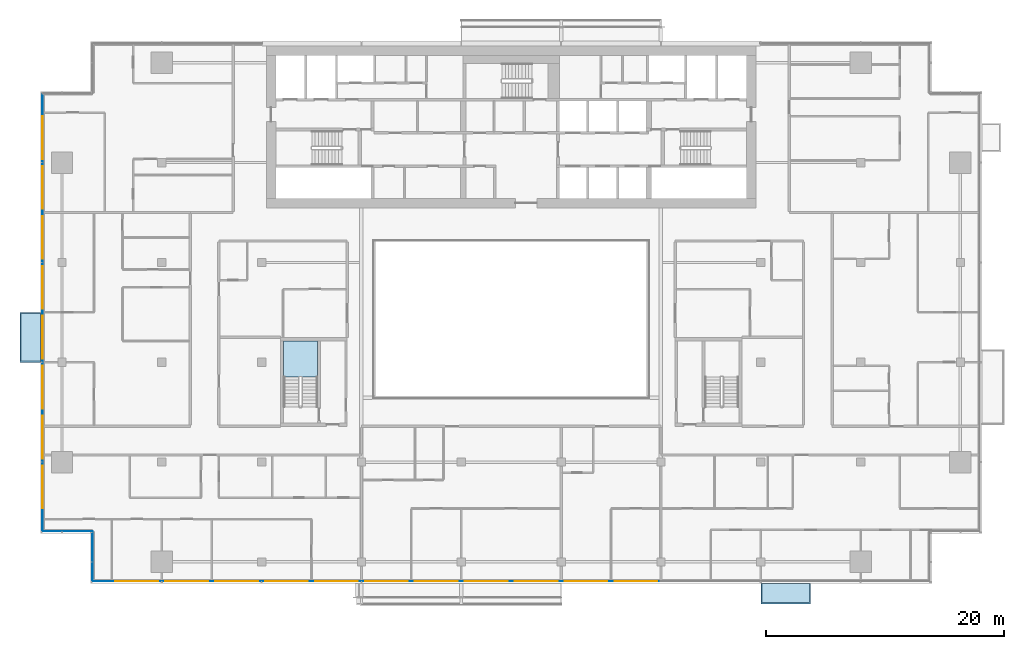
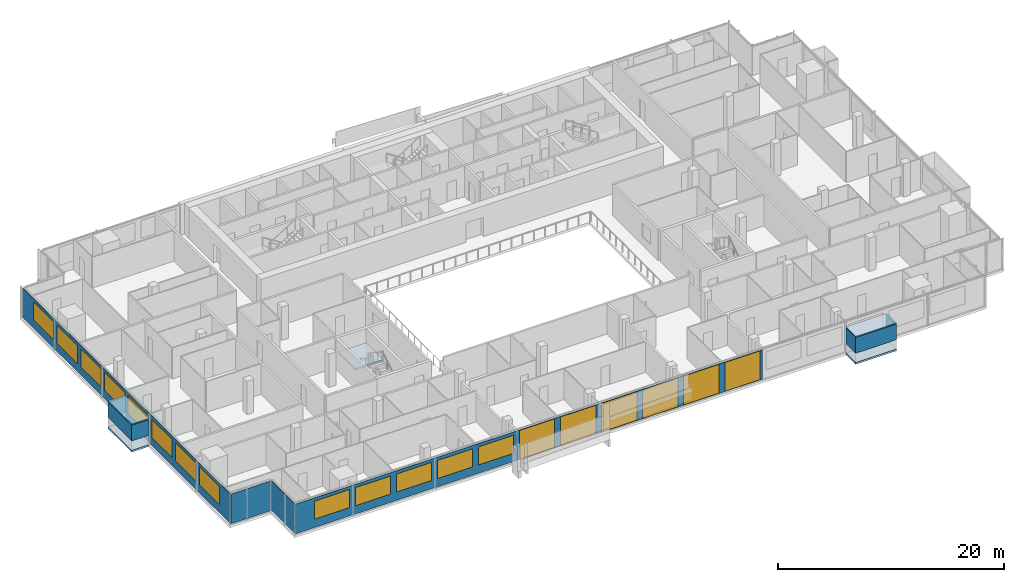
# One storey, part 14 of 27: 19 windows, 9 plates, 3 slabs, 19 openings, 5 elements without a shape of their own.
"""IFC4 building model written with IfcOpenShell, lengths in metres."""

from ifc_helpers import new_model, si_unit, direction, frame, frame_2d, origin, place, context, subcontext, project, spatial, polyline, rectangle, outline, extrude, material, layer, layer_set, type_object, element, fill, aggregate, save


model = new_model("IFC4")

# Units and contexts
model_context = context("Model", 3, precision=1e-05, world=origin(), true_north=direction((0.0, 1.0)))
body_context = subcontext(model_context, "Body", "Model", "MODEL_VIEW")
ifc_project = project(units=[si_unit("LENGTHUNIT", "METRE"), si_unit("AREAUNIT", "SQUARE_METRE"), si_unit("VOLUMEUNIT", "CUBIC_METRE"), si_unit("PLANEANGLEUNIT", "RADIAN"), si_unit("MASSUNIT", "GRAM", prefix="KILO")], contexts=[model_context])

# Site, building, storey
site_placement = place(None, origin())
site = spatial("IfcSite", under=ifc_project, at=site_placement, CompositionType="ELEMENT")
building_placement = place(site_placement, origin())
building = spatial("IfcBuilding", under=site, at=building_placement, Name="Saffron Gate Tower", CompositionType="ELEMENT")
storey_placement = place(building_placement, frame((0.0, 0.0, 172.64990234375)))
storey = spatial("IfcBuildingStorey", under=building, at=storey_placement, Name="L42", CompositionType="ELEMENT", Elevation=172.64990234375)

# Curtain wall, plates, openings, windows
ifc_material_1 = material(Name="Aluminium, bronze anodised", Category="aluminium")
curtain_wall_type_1 = type_object("IfcCurtainWallType", Name="CWS1 curtain wall front facade", PredefinedType="NOTDEFINED", material=ifc_material_1)
curtain_wall_1_placement = place(storey_placement, origin())
curtain_wall_1 = element("IfcCurtainWall", 1, at=curtain_wall_1_placement, inside=storey, type_object=curtain_wall_type_1, Name="CWS1 run 1", PredefinedType="NOTDEFINED")
ifc_material_2 = material(Name="Clear low-iron laminated glass", Category="glass")
ifc_layer_1 = layer(ifc_material_2, 0.028076171875)
ifc_layer_set_1 = layer_set([ifc_layer_1], Name="CWS1 clear glass")
plate_type_1 = type_object("IfcPlateType", Name="CWS1 clear glass", PredefinedType="CURTAIN_PANEL", material=ifc_layer_set_1)
plate_1_placement = place(storey_placement, frame((75.030029296875, 30.174072265625, 0.0), z_axis=(0.0, 0.0, 1.0), x_axis=(1.0, 0.0, 0.0)))
plate_1 = element("IfcPlate", 2, at=plate_1_placement, type_object=plate_type_1, Name="CWS1 clear glass panel", PredefinedType="CURTAIN_PANEL", context=body_context, shape_type="SweptSolid", body=[
    extrude(rectangle(XDim=25.139892578125, YDim=0.028076171875, at=frame_2d((12.56982421875, 0.0))), origin(), (0.0, 0.0, 1.0), 3.2001953125),
])
opening_1_placement = place(plate_1_placement, frame((0.27001953125, 0.0, 0.050048828125)))
opening_1 = element("IfcOpeningElement", 3, at=opening_1_placement, cuts=plate_1, Name="Opening WA", PredefinedType="OPENING", context=body_context, shape_type="SweptSolid", body=[
    extrude(rectangle(XDim=3.60009765625, YDim=3.10009765625, at=frame_2d((1.800048828125, 1.550048828125))), frame((0.0, 0.02392578125, 0.0), z_axis=(0.0, -1.0, 0.0), x_axis=(1.0, 0.0, 0.0)), (0.0, 0.0, 1.0), 0.048095703125),
])
opening_2_placement = place(plate_1_placement, frame((4.469970703125, 0.0, 0.050048828125)))
opening_2 = element("IfcOpeningElement", 4, at=opening_2_placement, cuts=plate_1, Name="Opening WA", PredefinedType="OPENING", context=body_context, shape_type="SweptSolid", body=[
    extrude(rectangle(XDim=3.60009765625, YDim=3.10009765625, at=frame_2d((1.800048828125, 1.550048828125))), frame((0.0, 0.02392578125, 0.0), z_axis=(0.0, -1.0, 0.0), x_axis=(1.0, 0.0, 0.0)), (0.0, 0.0, 1.0), 0.048095703125),
])
opening_3_placement = place(plate_1_placement, frame((8.669921875, 0.0, 0.050048828125)))
opening_3 = element("IfcOpeningElement", 5, at=opening_3_placement, cuts=plate_1, Name="Opening WA", PredefinedType="OPENING", context=body_context, shape_type="SweptSolid", body=[
    extrude(rectangle(XDim=3.60009765625, YDim=3.10009765625, at=frame_2d((1.800048828125, 1.550048828125))), frame((0.0, 0.02392578125, 0.0), z_axis=(0.0, -1.0, 0.0), x_axis=(1.0, 0.0, 0.0)), (0.0, 0.0, 1.0), 0.048095703125),
])
opening_4_placement = place(plate_1_placement, frame((12.8701171875, 0.0, 0.050048828125)))
opening_4 = element("IfcOpeningElement", 6, at=opening_4_placement, cuts=plate_1, Name="Opening WA", PredefinedType="OPENING", context=body_context, shape_type="SweptSolid", body=[
    extrude(rectangle(XDim=3.60009765625, YDim=3.10009765625, at=frame_2d((1.800048828125, 1.550048828125))), frame((0.0, 0.02392578125, 0.0), z_axis=(0.0, -1.0, 0.0), x_axis=(1.0, 0.0, 0.0)), (0.0, 0.0, 1.0), 0.048095703125),
])
opening_5_placement = place(plate_1_placement, frame((17.070068359375, 0.0, 0.050048828125)))
opening_5 = element("IfcOpeningElement", 7, at=opening_5_placement, cuts=plate_1, Name="Opening WA", PredefinedType="OPENING", context=body_context, shape_type="SweptSolid", body=[
    extrude(rectangle(XDim=3.60009765625, YDim=3.10009765625, at=frame_2d((1.800048828125, 1.550048828125))), frame((0.0, 0.02392578125, 0.0), z_axis=(0.0, -1.0, 0.0), x_axis=(1.0, 0.0, 0.0)), (0.0, 0.0, 1.0), 0.048095703125),
])
opening_6_placement = place(plate_1_placement, frame((21.27001953125, 0.0, 0.050048828125)))
opening_6 = element("IfcOpeningElement", 8, at=opening_6_placement, cuts=plate_1, Name="Opening WA", PredefinedType="OPENING", context=body_context, shape_type="SweptSolid", body=[
    extrude(rectangle(XDim=3.60009765625, YDim=3.10009765625, at=frame_2d((1.800048828125, 1.550048828125))), frame((0.0, 0.02392578125, 0.0), z_axis=(0.0, -1.0, 0.0), x_axis=(1.0, 0.0, 0.0)), (0.0, 0.0, 1.0), 0.048095703125),
])
ifc_material_3 = material(Name="Clear low-iron laminated glass in bronze frame", Category="glass")
ifc_layer_2 = layer(ifc_material_3, 0.06005859375)
ifc_layer_set_2 = layer_set([ifc_layer_2], Name="WA operable atrium unit 3600x3100")
window_type_1 = type_object("IfcWindowType", Name="WA operable atrium unit 3600x3100", PartitioningType="DOUBLE_PANEL_HORIZONTAL", PredefinedType="WINDOW", material=ifc_layer_set_2)
window_1_placement = place(opening_1_placement, origin())
window_1 = element("IfcWindow", 9, at=window_1_placement, type_object=window_type_1, Name="WA operable atrium unit", OverallHeight=3.10009765625, OverallWidth=3.60009765625, PartitioningType="SINGLE_PANEL", PredefinedType="WINDOW", context=body_context, shape_type="SweptSolid", body=[
    extrude(rectangle(XDim=3.60009765625, YDim=3.10009765625, at=frame_2d((1.800048828125, 1.550048828125))), frame((0.0, 0.013671875, 0.0), z_axis=(0.0, -1.0, 0.0), x_axis=(1.0, 0.0, 0.0)), (0.0, 0.0, 1.0), 0.027587890625),
])
fill(opening_1, window_1)
window_2_placement = place(opening_2_placement, origin())
window_2 = element("IfcWindow", 10, at=window_2_placement, type_object=window_type_1, Name="WA operable atrium unit", OverallHeight=3.10009765625, OverallWidth=3.60009765625, PartitioningType="SINGLE_PANEL", PredefinedType="WINDOW", context=body_context, shape_type="SweptSolid", body=[
    extrude(rectangle(XDim=3.60009765625, YDim=3.10009765625, at=frame_2d((1.800048828125, 1.550048828125))), frame((0.0, 0.013671875, 0.0), z_axis=(0.0, -1.0, 0.0), x_axis=(1.0, 0.0, 0.0)), (0.0, 0.0, 1.0), 0.027587890625),
])
fill(opening_2, window_2)
window_3_placement = place(opening_3_placement, origin())
window_3 = element("IfcWindow", 11, at=window_3_placement, type_object=window_type_1, Name="WA operable atrium unit", OverallHeight=3.10009765625, OverallWidth=3.60009765625, PartitioningType="SINGLE_PANEL", PredefinedType="WINDOW", context=body_context, shape_type="SweptSolid", body=[
    extrude(rectangle(XDim=3.60009765625, YDim=3.10009765625, at=frame_2d((1.800048828125, 1.550048828125))), frame((0.0, 0.013671875, 0.0), z_axis=(0.0, -1.0, 0.0), x_axis=(1.0, 0.0, 0.0)), (0.0, 0.0, 1.0), 0.027587890625),
])
fill(opening_3, window_3)
window_4_placement = place(opening_4_placement, origin())
window_4 = element("IfcWindow", 12, at=window_4_placement, type_object=window_type_1, Name="WA operable atrium unit", OverallHeight=3.10009765625, OverallWidth=3.60009765625, PartitioningType="SINGLE_PANEL", PredefinedType="WINDOW", context=body_context, shape_type="SweptSolid", body=[
    extrude(rectangle(XDim=3.60009765625, YDim=3.10009765625, at=frame_2d((1.800048828125, 1.550048828125))), frame((0.0, 0.013671875, 0.0), z_axis=(0.0, -1.0, 0.0), x_axis=(1.0, 0.0, 0.0)), (0.0, 0.0, 1.0), 0.027587890625),
])
fill(opening_4, window_4)
window_5_placement = place(opening_5_placement, origin())
window_5 = element("IfcWindow", 13, at=window_5_placement, type_object=window_type_1, Name="WA operable atrium unit", OverallHeight=3.10009765625, OverallWidth=3.60009765625, PartitioningType="SINGLE_PANEL", PredefinedType="WINDOW", context=body_context, shape_type="SweptSolid", body=[
    extrude(rectangle(XDim=3.60009765625, YDim=3.10009765625, at=frame_2d((1.800048828125, 1.550048828125))), frame((0.0, 0.013671875, 0.0), z_axis=(0.0, -1.0, 0.0), x_axis=(1.0, 0.0, 0.0)), (0.0, 0.0, 1.0), 0.027587890625),
])
fill(opening_5, window_5)
window_6_placement = place(opening_6_placement, origin())
window_6 = element("IfcWindow", 14, at=window_6_placement, type_object=window_type_1, Name="WA operable atrium unit", OverallHeight=3.10009765625, OverallWidth=3.60009765625, PartitioningType="SINGLE_PANEL", PredefinedType="WINDOW", context=body_context, shape_type="SweptSolid", body=[
    extrude(rectangle(XDim=3.60009765625, YDim=3.10009765625, at=frame_2d((1.800048828125, 1.550048828125))), frame((0.0, 0.013671875, 0.0), z_axis=(0.0, -1.0, 0.0), x_axis=(1.0, 0.0, 0.0)), (0.0, 0.0, 1.0), 0.027587890625),
])
fill(opening_6, window_6)
ifc_material_4 = material(Name="Fritted bronze-tinted laminated glass", Category="glass")
ifc_layer_3 = layer(ifc_material_4, 0.028076171875)
ifc_layer_set_3 = layer_set([ifc_layer_3], Name="CWS1 fixed glass")
plate_type_2 = type_object("IfcPlateType", Name="CWS1 fixed glass", PredefinedType="CURTAIN_PANEL", material=ifc_layer_set_3)
plate_2_placement = place(storey_placement, frame((52.387939453125, 30.174072265625, 0.0), z_axis=(0.0, 0.0, 1.0), x_axis=(1.0, 0.0, 0.0)))
plate_2 = element("IfcPlate", 15, at=plate_2_placement, type_object=plate_type_2, Name="CWS1 glass panel", PredefinedType="CURTAIN_PANEL", context=body_context, shape_type="SweptSolid", body=[
    extrude(rectangle(XDim=22.64208984375, YDim=0.028076171875, at=frame_2d((11.321044921875, 0.0))), origin(), (0.0, 0.0, 1.0), 3.2001953125),
])
opening_7_placement = place(plate_2_placement, frame((1.912109375, 0.0, 0.89990234375)))
opening_7 = element("IfcOpeningElement", 16, at=opening_7_placement, cuts=plate_2, Name="Opening W1", PredefinedType="OPENING", context=body_context, shape_type="SweptSolid", body=[
    extrude(rectangle(XDim=3.60009765625, YDim=1.949951171875, at=frame_2d((1.800048828125, 0.97509765625))), frame((0.0, 0.02392578125, 0.0), z_axis=(0.0, -1.0, 0.0), x_axis=(1.0, 0.0, 0.0)), (0.0, 0.0, 1.0), 0.048095703125),
])
opening_8_placement = place(plate_2_placement, frame((6.112060546875, 0.0, 0.89990234375)))
opening_8 = element("IfcOpeningElement", 17, at=opening_8_placement, cuts=plate_2, Name="Opening W1", PredefinedType="OPENING", context=body_context, shape_type="SweptSolid", body=[
    extrude(rectangle(XDim=3.60009765625, YDim=1.949951171875, at=frame_2d((1.800048828125, 0.97509765625))), frame((0.0, 0.02392578125, 0.0), z_axis=(0.0, -1.0, 0.0), x_axis=(1.0, 0.0, 0.0)), (0.0, 0.0, 1.0), 0.048095703125),
])
opening_9_placement = place(plate_2_placement, frame((10.31201171875, 0.0, 0.89990234375)))
opening_9 = element("IfcOpeningElement", 18, at=opening_9_placement, cuts=plate_2, Name="Opening W1", PredefinedType="OPENING", context=body_context, shape_type="SweptSolid", body=[
    extrude(rectangle(XDim=3.60009765625, YDim=1.949951171875, at=frame_2d((1.800048828125, 0.97509765625))), frame((0.0, 0.02392578125, 0.0), z_axis=(0.0, -1.0, 0.0), x_axis=(1.0, 0.0, 0.0)), (0.0, 0.0, 1.0), 0.048095703125),
])
opening_10_placement = place(plate_2_placement, frame((14.511962890625, 0.0, 0.89990234375)))
opening_10 = element("IfcOpeningElement", 19, at=opening_10_placement, cuts=plate_2, Name="Opening W1", PredefinedType="OPENING", context=body_context, shape_type="SweptSolid", body=[
    extrude(rectangle(XDim=3.60009765625, YDim=1.949951171875, at=frame_2d((1.800048828125, 0.97509765625))), frame((0.0, 0.02392578125, 0.0), z_axis=(0.0, -1.0, 0.0), x_axis=(1.0, 0.0, 0.0)), (0.0, 0.0, 1.0), 0.048095703125),
])
opening_11_placement = place(plate_2_placement, frame((18.7119140625, 0.0, 0.89990234375)))
opening_11 = element("IfcOpeningElement", 20, at=opening_11_placement, cuts=plate_2, Name="Opening W1", PredefinedType="OPENING", context=body_context, shape_type="SweptSolid", body=[
    extrude(rectangle(XDim=3.60009765625, YDim=1.949951171875, at=frame_2d((1.800048828125, 0.97509765625))), frame((0.0, 0.02392578125, 0.0), z_axis=(0.0, -1.0, 0.0), x_axis=(1.0, 0.0, 0.0)), (0.0, 0.0, 1.0), 0.048095703125),
])
ifc_material_5 = material(Name="Fritted bronze-tinted laminated glass in bronze frame", Category="glass")
ifc_layer_4 = layer(ifc_material_5, 0.06005859375)
ifc_layer_set_4 = layer_set([ifc_layer_4], Name="W1 operable panel 3600x1950")
window_type_2 = type_object("IfcWindowType", Name="W1 operable panel 3600x1950", PartitioningType="DOUBLE_PANEL_HORIZONTAL", PredefinedType="WINDOW", material=ifc_layer_set_4)
window_7_placement = place(opening_7_placement, origin())
window_7 = element("IfcWindow", 21, at=window_7_placement, type_object=window_type_2, Name="W1 operable panel", OverallHeight=1.949951171875, OverallWidth=3.60009765625, PartitioningType="SINGLE_PANEL", PredefinedType="WINDOW", context=body_context, shape_type="SweptSolid", body=[
    extrude(rectangle(XDim=3.60009765625, YDim=1.949951171875, at=frame_2d((1.800048828125, 0.97509765625))), frame((0.0, 0.013671875, 0.0), z_axis=(0.0, -1.0, 0.0), x_axis=(1.0, 0.0, 0.0)), (0.0, 0.0, 1.0), 0.027587890625),
])
fill(opening_7, window_7)
window_8_placement = place(opening_8_placement, origin())
window_8 = element("IfcWindow", 22, at=window_8_placement, type_object=window_type_2, Name="W1 operable panel", OverallHeight=1.949951171875, OverallWidth=3.60009765625, PartitioningType="SINGLE_PANEL", PredefinedType="WINDOW", context=body_context, shape_type="SweptSolid", body=[
    extrude(rectangle(XDim=3.60009765625, YDim=1.949951171875, at=frame_2d((1.800048828125, 0.97509765625))), frame((0.0, 0.013671875, 0.0), z_axis=(0.0, -1.0, 0.0), x_axis=(1.0, 0.0, 0.0)), (0.0, 0.0, 1.0), 0.027587890625),
])
fill(opening_8, window_8)
window_9_placement = place(opening_9_placement, origin())
window_9 = element("IfcWindow", 23, at=window_9_placement, type_object=window_type_2, Name="W1 operable panel", OverallHeight=1.949951171875, OverallWidth=3.60009765625, PartitioningType="SINGLE_PANEL", PredefinedType="WINDOW", context=body_context, shape_type="SweptSolid", body=[
    extrude(rectangle(XDim=3.60009765625, YDim=1.949951171875, at=frame_2d((1.800048828125, 0.97509765625))), frame((0.0, 0.013671875, 0.0), z_axis=(0.0, -1.0, 0.0), x_axis=(1.0, 0.0, 0.0)), (0.0, 0.0, 1.0), 0.027587890625),
])
fill(opening_9, window_9)
window_10_placement = place(opening_10_placement, origin())
window_10 = element("IfcWindow", 24, at=window_10_placement, type_object=window_type_2, Name="W1 operable panel", OverallHeight=1.949951171875, OverallWidth=3.60009765625, PartitioningType="SINGLE_PANEL", PredefinedType="WINDOW", context=body_context, shape_type="SweptSolid", body=[
    extrude(rectangle(XDim=3.60009765625, YDim=1.949951171875, at=frame_2d((1.800048828125, 0.97509765625))), frame((0.0, 0.013671875, 0.0), z_axis=(0.0, -1.0, 0.0), x_axis=(1.0, 0.0, 0.0)), (0.0, 0.0, 1.0), 0.027587890625),
])
fill(opening_10, window_10)
window_11_placement = place(opening_11_placement, origin())
window_11 = element("IfcWindow", 25, at=window_11_placement, type_object=window_type_2, Name="W1 operable panel", OverallHeight=1.949951171875, OverallWidth=3.60009765625, PartitioningType="SINGLE_PANEL", PredefinedType="WINDOW", context=body_context, shape_type="SweptSolid", body=[
    extrude(rectangle(XDim=3.60009765625, YDim=1.949951171875, at=frame_2d((1.800048828125, 0.97509765625))), frame((0.0, 0.013671875, 0.0), z_axis=(0.0, -1.0, 0.0), x_axis=(1.0, 0.0, 0.0)), (0.0, 0.0, 1.0), 0.027587890625),
])
fill(opening_11, window_11)
aggregate(curtain_wall_1, [plate_2, plate_1, window_7, window_8, window_9, window_10, window_11, window_1, window_2, window_3, window_4, window_5, window_6])

# Curtain wall, plate, openings, windows
curtain_wall_type_2 = type_object("IfcCurtainWallType", Name="CWS2 curtain wall side facades", PredefinedType="NOTDEFINED", material=ifc_material_1)
curtain_wall_2_placement = place(storey_placement, origin())
curtain_wall_2 = element("IfcCurtainWall", 26, at=curtain_wall_2_placement, inside=storey, type_object=curtain_wall_type_2, Name="CWS2 run 10", PredefinedType="NOTDEFINED")
ifc_layer_5 = layer(ifc_material_4, 0.028076171875)
ifc_layer_set_5 = layer_set([ifc_layer_5], Name="CWS2 fixed glass")
plate_type_3 = type_object("IfcPlateType", Name="CWS2 fixed glass", PredefinedType="CURTAIN_PANEL", material=ifc_layer_set_5)
plate_3_placement = place(storey_placement, frame((48.174072265625, 71.2119140625, 0.0), z_axis=(0.0, 0.0, 1.0), x_axis=(0.0, -1.0, 0.0)))
plate_3 = element("IfcPlate", 27, at=plate_3_placement, type_object=plate_type_3, Name="CWS2 glass panel", PredefinedType="CURTAIN_PANEL", context=body_context, shape_type="SweptSolid", body=[
    extrude(rectangle(XDim=36.823974609375, YDim=0.028076171875, at=frame_2d((18.412109375, 0.0))), origin(), (0.0, 0.0, 1.0), 3.2001953125),
])
opening_12_placement = place(plate_3_placement, frame((1.912109375, 0.0, 0.89990234375)))
opening_12 = element("IfcOpeningElement", 28, at=opening_12_placement, cuts=plate_3, Name="Opening W1", PredefinedType="OPENING", context=body_context, shape_type="SweptSolid", body=[
    extrude(rectangle(XDim=3.60009765625, YDim=1.949951171875, at=frame_2d((1.800048828125, 0.97509765625))), frame((0.0, 0.02392578125, 0.0), z_axis=(0.0, -1.0, 0.0), x_axis=(1.0, 0.0, 0.0)), (0.0, 0.0, 1.0), 0.048095703125),
])
opening_13_placement = place(plate_3_placement, frame((6.112060546875, 0.0, 0.89990234375)))
opening_13 = element("IfcOpeningElement", 29, at=opening_13_placement, cuts=plate_3, Name="Opening W1", PredefinedType="OPENING", context=body_context, shape_type="SweptSolid", body=[
    extrude(rectangle(XDim=3.60009765625, YDim=1.949951171875, at=frame_2d((1.800048828125, 0.97509765625))), frame((0.0, 0.02392578125, 0.0), z_axis=(0.0, -1.0, 0.0), x_axis=(1.0, 0.0, 0.0)), (0.0, 0.0, 1.0), 0.048095703125),
])
opening_14_placement = place(plate_3_placement, frame((10.31201171875, 0.0, 0.89990234375)))
opening_14 = element("IfcOpeningElement", 30, at=opening_14_placement, cuts=plate_3, Name="Opening W1", PredefinedType="OPENING", context=body_context, shape_type="SweptSolid", body=[
    extrude(rectangle(XDim=3.60009765625, YDim=1.949951171875, at=frame_2d((1.800048828125, 0.97509765625))), frame((0.0, 0.02392578125, 0.0), z_axis=(0.0, -1.0, 0.0), x_axis=(1.0, 0.0, 0.0)), (0.0, 0.0, 1.0), 0.048095703125),
])
opening_15_placement = place(plate_3_placement, frame((14.511962890625, 0.0, 0.89990234375)))
opening_15 = element("IfcOpeningElement", 31, at=opening_15_placement, cuts=plate_3, Name="Opening W1", PredefinedType="OPENING", context=body_context, shape_type="SweptSolid", body=[
    extrude(rectangle(XDim=3.60009765625, YDim=1.949951171875, at=frame_2d((1.800048828125, 0.97509765625))), frame((0.0, 0.02392578125, 0.0), z_axis=(0.0, -1.0, 0.0), x_axis=(1.0, 0.0, 0.0)), (0.0, 0.0, 1.0), 0.048095703125),
])
opening_16_placement = place(plate_3_placement, frame((18.7119140625, 0.0, 0.89990234375)))
opening_16 = element("IfcOpeningElement", 32, at=opening_16_placement, cuts=plate_3, Name="Opening W1", PredefinedType="OPENING", context=body_context, shape_type="SweptSolid", body=[
    extrude(rectangle(XDim=3.60009765625, YDim=1.949951171875, at=frame_2d((1.800048828125, 0.97509765625))), frame((0.0, 0.02392578125, 0.0), z_axis=(0.0, -1.0, 0.0), x_axis=(1.0, 0.0, 0.0)), (0.0, 0.0, 1.0), 0.048095703125),
])
opening_17_placement = place(plate_3_placement, frame((22.912109375, 0.0, 0.89990234375)))
opening_17 = element("IfcOpeningElement", 33, at=opening_17_placement, cuts=plate_3, Name="Opening W1", PredefinedType="OPENING", context=body_context, shape_type="SweptSolid", body=[
    extrude(rectangle(XDim=3.60009765625, YDim=1.949951171875, at=frame_2d((1.800048828125, 0.97509765625))), frame((0.0, 0.02392578125, 0.0), z_axis=(0.0, -1.0, 0.0), x_axis=(1.0, 0.0, 0.0)), (0.0, 0.0, 1.0), 0.048095703125),
])
opening_18_placement = place(plate_3_placement, frame((27.112060546875, 0.0, 0.89990234375)))
opening_18 = element("IfcOpeningElement", 34, at=opening_18_placement, cuts=plate_3, Name="Opening W1", PredefinedType="OPENING", context=body_context, shape_type="SweptSolid", body=[
    extrude(rectangle(XDim=3.60009765625, YDim=1.949951171875, at=frame_2d((1.800048828125, 0.97509765625))), frame((0.0, 0.02392578125, 0.0), z_axis=(0.0, -1.0, 0.0), x_axis=(1.0, 0.0, 0.0)), (0.0, 0.0, 1.0), 0.048095703125),
])
opening_19_placement = place(plate_3_placement, frame((31.31201171875, 0.0, 0.89990234375)))
opening_19 = element("IfcOpeningElement", 35, at=opening_19_placement, cuts=plate_3, Name="Opening W1", PredefinedType="OPENING", context=body_context, shape_type="SweptSolid", body=[
    extrude(rectangle(XDim=3.60009765625, YDim=1.949951171875, at=frame_2d((1.800048828125, 0.97509765625))), frame((0.0, 0.02392578125, 0.0), z_axis=(0.0, -1.0, 0.0), x_axis=(1.0, 0.0, 0.0)), (0.0, 0.0, 1.0), 0.048095703125),
])
window_12_placement = place(opening_12_placement, origin())
window_12 = element("IfcWindow", 36, at=window_12_placement, type_object=window_type_2, Name="W1 operable panel", OverallHeight=1.949951171875, OverallWidth=3.60009765625, PartitioningType="SINGLE_PANEL", PredefinedType="WINDOW", context=body_context, shape_type="SweptSolid", body=[
    extrude(rectangle(XDim=3.60009765625, YDim=1.949951171875, at=frame_2d((1.800048828125, 0.97509765625))), frame((0.0, 0.013671875, 0.0), z_axis=(0.0, -1.0, 0.0), x_axis=(1.0, 0.0, 0.0)), (0.0, 0.0, 1.0), 0.027587890625),
])
fill(opening_12, window_12)
window_13_placement = place(opening_13_placement, origin())
window_13 = element("IfcWindow", 37, at=window_13_placement, type_object=window_type_2, Name="W1 operable panel", OverallHeight=1.949951171875, OverallWidth=3.60009765625, PartitioningType="SINGLE_PANEL", PredefinedType="WINDOW", context=body_context, shape_type="SweptSolid", body=[
    extrude(rectangle(XDim=3.60009765625, YDim=1.949951171875, at=frame_2d((1.800048828125, 0.97509765625))), frame((0.0, 0.013671875, 0.0), z_axis=(0.0, -1.0, 0.0), x_axis=(1.0, 0.0, 0.0)), (0.0, 0.0, 1.0), 0.027587890625),
])
fill(opening_13, window_13)
window_14_placement = place(opening_14_placement, origin())
window_14 = element("IfcWindow", 38, at=window_14_placement, type_object=window_type_2, Name="W1 operable panel", OverallHeight=1.949951171875, OverallWidth=3.60009765625, PartitioningType="SINGLE_PANEL", PredefinedType="WINDOW", context=body_context, shape_type="SweptSolid", body=[
    extrude(rectangle(XDim=3.60009765625, YDim=1.949951171875, at=frame_2d((1.800048828125, 0.97509765625))), frame((0.0, 0.013671875, 0.0), z_axis=(0.0, -1.0, 0.0), x_axis=(1.0, 0.0, 0.0)), (0.0, 0.0, 1.0), 0.027587890625),
])
fill(opening_14, window_14)
window_15_placement = place(opening_15_placement, origin())
window_15 = element("IfcWindow", 39, at=window_15_placement, type_object=window_type_2, Name="W1 operable panel", OverallHeight=1.949951171875, OverallWidth=3.60009765625, PartitioningType="SINGLE_PANEL", PredefinedType="WINDOW", context=body_context, shape_type="SweptSolid", body=[
    extrude(rectangle(XDim=3.60009765625, YDim=1.949951171875, at=frame_2d((1.800048828125, 0.97509765625))), frame((0.0, 0.013671875, 0.0), z_axis=(0.0, -1.0, 0.0), x_axis=(1.0, 0.0, 0.0)), (0.0, 0.0, 1.0), 0.027587890625),
])
fill(opening_15, window_15)
window_16_placement = place(opening_16_placement, origin())
window_16 = element("IfcWindow", 40, at=window_16_placement, type_object=window_type_2, Name="W1 operable panel", OverallHeight=1.949951171875, OverallWidth=3.60009765625, PartitioningType="SINGLE_PANEL", PredefinedType="WINDOW", context=body_context, shape_type="SweptSolid", body=[
    extrude(rectangle(XDim=3.60009765625, YDim=1.949951171875, at=frame_2d((1.800048828125, 0.97509765625))), frame((0.0, 0.013671875, 0.0), z_axis=(0.0, -1.0, 0.0), x_axis=(1.0, 0.0, 0.0)), (0.0, 0.0, 1.0), 0.027587890625),
])
fill(opening_16, window_16)
window_17_placement = place(opening_17_placement, origin())
window_17 = element("IfcWindow", 41, at=window_17_placement, type_object=window_type_2, Name="W1 operable panel", OverallHeight=1.949951171875, OverallWidth=3.60009765625, PartitioningType="SINGLE_PANEL", PredefinedType="WINDOW", context=body_context, shape_type="SweptSolid", body=[
    extrude(rectangle(XDim=3.60009765625, YDim=1.949951171875, at=frame_2d((1.800048828125, 0.97509765625))), frame((0.0, 0.013671875, 0.0), z_axis=(0.0, -1.0, 0.0), x_axis=(1.0, 0.0, 0.0)), (0.0, 0.0, 1.0), 0.027587890625),
])
fill(opening_17, window_17)
window_18_placement = place(opening_18_placement, origin())
window_18 = element("IfcWindow", 42, at=window_18_placement, type_object=window_type_2, Name="W1 operable panel", OverallHeight=1.949951171875, OverallWidth=3.60009765625, PartitioningType="SINGLE_PANEL", PredefinedType="WINDOW", context=body_context, shape_type="SweptSolid", body=[
    extrude(rectangle(XDim=3.60009765625, YDim=1.949951171875, at=frame_2d((1.800048828125, 0.97509765625))), frame((0.0, 0.013671875, 0.0), z_axis=(0.0, -1.0, 0.0), x_axis=(1.0, 0.0, 0.0)), (0.0, 0.0, 1.0), 0.027587890625),
])
fill(opening_18, window_18)
window_19_placement = place(opening_19_placement, origin())
window_19 = element("IfcWindow", 43, at=window_19_placement, type_object=window_type_2, Name="W1 operable panel", OverallHeight=1.949951171875, OverallWidth=3.60009765625, PartitioningType="SINGLE_PANEL", PredefinedType="WINDOW", context=body_context, shape_type="SweptSolid", body=[
    extrude(rectangle(XDim=3.60009765625, YDim=1.949951171875, at=frame_2d((1.800048828125, 0.97509765625))), frame((0.0, 0.013671875, 0.0), z_axis=(0.0, -1.0, 0.0), x_axis=(1.0, 0.0, 0.0)), (0.0, 0.0, 1.0), 0.027587890625),
])
fill(opening_19, window_19)
aggregate(curtain_wall_2, [plate_3, window_12, window_13, window_14, window_15, window_16, window_17, window_18, window_19])

# Curtain wall, plate
curtain_wall_type_3 = type_object("IfcCurtainWallType", Name="CWS4 curtain wall corner returns", PredefinedType="NOTDEFINED", material=ifc_material_1)
curtain_wall_3_placement = place(storey_placement, origin())
curtain_wall_3 = element("IfcCurtainWall", 44, at=curtain_wall_3_placement, inside=storey, type_object=curtain_wall_type_3, Name="CWS4 run 11", PredefinedType="NOTDEFINED")
ifc_layer_6 = layer(ifc_material_4, 0.028076171875)
ifc_layer_set_6 = layer_set([ifc_layer_6], Name="CWS4 fixed glass")
plate_type_4 = type_object("IfcPlateType", Name="CWS4 fixed glass", PredefinedType="CURTAIN_PANEL", material=ifc_layer_set_6)
plate_4_placement = place(storey_placement, frame((48.18798828125, 34.3740234375, 0.0), z_axis=(0.0, 0.0, 1.0), x_axis=(1.0, 0.0, 0.0)))
plate_4 = element("IfcPlate", 45, at=plate_4_placement, type_object=plate_type_4, Name="CWS4 glass panel", PredefinedType="CURTAIN_PANEL", context=body_context, shape_type="SweptSolid", body=[
    extrude(rectangle(XDim=4.172119140625, YDim=0.028076171875, at=frame_2d((2.0859375, 0.0))), origin(), (0.0, 0.0, 1.0), 3.2001953125),
])
aggregate(curtain_wall_3, [plate_4])

curtain_wall_4_placement = place(storey_placement, origin())
curtain_wall_4 = element("IfcCurtainWall", 46, at=curtain_wall_4_placement, inside=storey, type_object=curtain_wall_type_3, Name="CWS4 run 12", PredefinedType="NOTDEFINED")
plate_5_placement = place(storey_placement, frame((52.3740234375, 34.360107421875, 0.0), z_axis=(0.0, 0.0, 1.0), x_axis=(0.0, -1.0, 0.0)))
plate_5 = element("IfcPlate", 47, at=plate_5_placement, type_object=plate_type_4, Name="CWS4 glass panel", PredefinedType="CURTAIN_PANEL", context=body_context, shape_type="SweptSolid", body=[
    extrude(rectangle(XDim=4.172119140625, YDim=0.028076171875, at=frame_2d((2.0859375, 0.0))), origin(), (0.0, 0.0, 1.0), 3.2001953125),
])
aggregate(curtain_wall_4, [plate_5])

# Stair, slab
ifc_material_6 = material(Name="Concrete C40", Category="concrete")
stair_type = type_object("IfcStairType", Name="ST7 Stair 1350 wide, 20 risers of 180", PredefinedType="HALF_TURN_STAIR", material=ifc_material_6)
stair_placement = place(storey_placement, origin())
stair = element("IfcStair", 48, at=stair_placement, inside=storey, type_object=stair_type, Name="L42 Exit stair D", PredefinedType="HALF_TURN_STAIR")
ifc_layer_7 = layer(ifc_material_6, 0.199951171875)
ifc_layer_set_7 = layer_set([ifc_layer_7], Name="SL1 Stair landing 200")
slab_type_1 = type_object("IfcSlabType", Name="SL1 Stair landing 200", PredefinedType="LANDING", material=ifc_layer_set_7)
slab_1_placement = place(storey_placement, frame((0.0, 0.0, 1.60009765625)))
slab_1 = element("IfcSlab", 49, at=slab_1_placement, type_object=slab_type_1, Name="ST-D landing 1", PredefinedType="LANDING", context=body_context, shape_type="SweptSolid", body=[
    extrude(outline(polyline([(71.300048828125, 47.3701171875), (71.300048828125, 50.39990234375), (68.449951171875, 50.39990234375), (68.449951171875, 47.3701171875), (71.300048828125, 47.3701171875)])), origin(), (0.0, 0.0, 1.0), 0.199951171875),
])
aggregate(stair, [slab_1])

# Slabs
ifc_material_7 = material(Name="Timber deck on bronze frame", Category="wood")
ifc_layer_8 = layer(ifc_material_7, 0.199951171875)
ifc_layer_set_8 = layer_set([ifc_layer_8], Name="WB1 box floor")
slab_type_2 = type_object("IfcSlabType", Name="WB1 box floor", PredefinedType="FLOOR", material=ifc_layer_set_8)
slab_2_placement = place(storey_placement, frame((0.0, 0.0, -0.199951171875)))
element("IfcSlab", 50, at=slab_2_placement, inside=storey, type_object=slab_type_2, Name="WINDOW BOX floor", PredefinedType="FLOOR", context=body_context, shape_type="SweptSolid", body=[
    extrude(outline(polyline([(108.60009765625, 30.0), (112.800048828125, 30.0), (112.800048828125, 28.26708984375), (108.60009765625, 28.26708984375), (108.60009765625, 30.0)])), origin(), (0.0, 0.0, 1.0), 0.199951171875),
])
slab_3_placement = place(storey_placement, frame((0.0, 0.0, -0.199951171875)))
element("IfcSlab", 51, at=slab_3_placement, inside=storey, type_object=slab_type_2, Name="WINDOW BOX floor", PredefinedType="FLOOR", context=body_context, shape_type="SweptSolid", body=[
    extrude(outline(polyline([(48.0, 52.800048828125), (48.0, 48.60009765625), (46.26708984375, 48.60009765625), (46.26708984375, 52.800048828125), (48.0, 52.800048828125)])), origin(), (0.0, 0.0, 1.0), 0.199951171875),
])

# Plates
ifc_layer_9 = layer(ifc_material_1, 0.1201171875)
ifc_layer_set_9 = layer_set([ifc_layer_9], Name="WB2 box roof")
plate_type_5 = type_object("IfcPlateType", Name="WB2 box roof", PredefinedType="SHEET", material=ifc_layer_set_9)
plate_6_placement = place(storey_placement, frame((0.0, 0.0, 2.7001953125)))
element("IfcPlate", 52, at=plate_6_placement, inside=storey, type_object=plate_type_5, Name="WINDOW BOX roof", PredefinedType="SHEET", context=body_context, shape_type="SweptSolid", body=[
    extrude(outline(polyline([(108.60009765625, 30.0), (112.800048828125, 30.0), (112.800048828125, 28.26708984375), (108.60009765625, 28.26708984375), (108.60009765625, 30.0)])), origin(), (0.0, 0.0, 1.0), 0.119873046875),
])
plate_7_placement = place(storey_placement, frame((0.0, 0.0, 2.7001953125)))
element("IfcPlate", 53, at=plate_7_placement, inside=storey, type_object=plate_type_5, Name="WINDOW BOX roof", PredefinedType="SHEET", context=body_context, shape_type="SweptSolid", body=[
    extrude(outline(polyline([(48.0, 52.800048828125), (48.0, 48.60009765625), (46.26708984375, 48.60009765625), (46.26708984375, 52.800048828125), (48.0, 52.800048828125)])), origin(), (0.0, 0.0, 1.0), 0.119873046875),
])
ifc_layer_10 = layer(ifc_material_2, 0.10009765625)
ifc_layer_set_10 = layer_set([ifc_layer_10], Name="WB6 box glazing")
plate_type_6 = type_object("IfcPlateType", Name="WB6 box glazing", PredefinedType="SHEET", material=ifc_layer_set_10)
plate_8_placement = place(storey_placement, frame((0.0, 0.0, 1.0)))
element("IfcPlate", 54, at=plate_8_placement, inside=storey, type_object=plate_type_6, Name="WINDOW BOX glazing", PredefinedType="SHEET", context=body_context, shape_type="SweptSolid", body=[
    extrude(outline(polyline([(108.60009765625, 30.0), (108.699951171875, 30.0), (108.699951171875, 28.366943359375), (112.699951171875, 28.366943359375), (112.699951171875, 30.0), (112.800048828125, 30.0), (112.800048828125, 28.26708984375), (108.60009765625, 28.26708984375), (108.60009765625, 30.0)])), origin(), (0.0, 0.0, 1.0), 1.7001953125),
])
plate_9_placement = place(storey_placement, frame((0.0, 0.0, 1.0)))
element("IfcPlate", 55, at=plate_9_placement, inside=storey, type_object=plate_type_6, Name="WINDOW BOX glazing", PredefinedType="SHEET", context=body_context, shape_type="SweptSolid", body=[
    extrude(outline(polyline([(48.0, 52.800048828125), (48.0, 52.699951171875), (46.366943359375, 52.699951171875), (46.366943359375, 48.699951171875), (48.0, 48.699951171875), (48.0, 48.60009765625), (46.26708984375, 48.60009765625), (46.26708984375, 52.800048828125), (48.0, 52.800048828125)])), origin(), (0.0, 0.0, 1.0), 1.7001953125),
])

save(model, "model.ifc")
